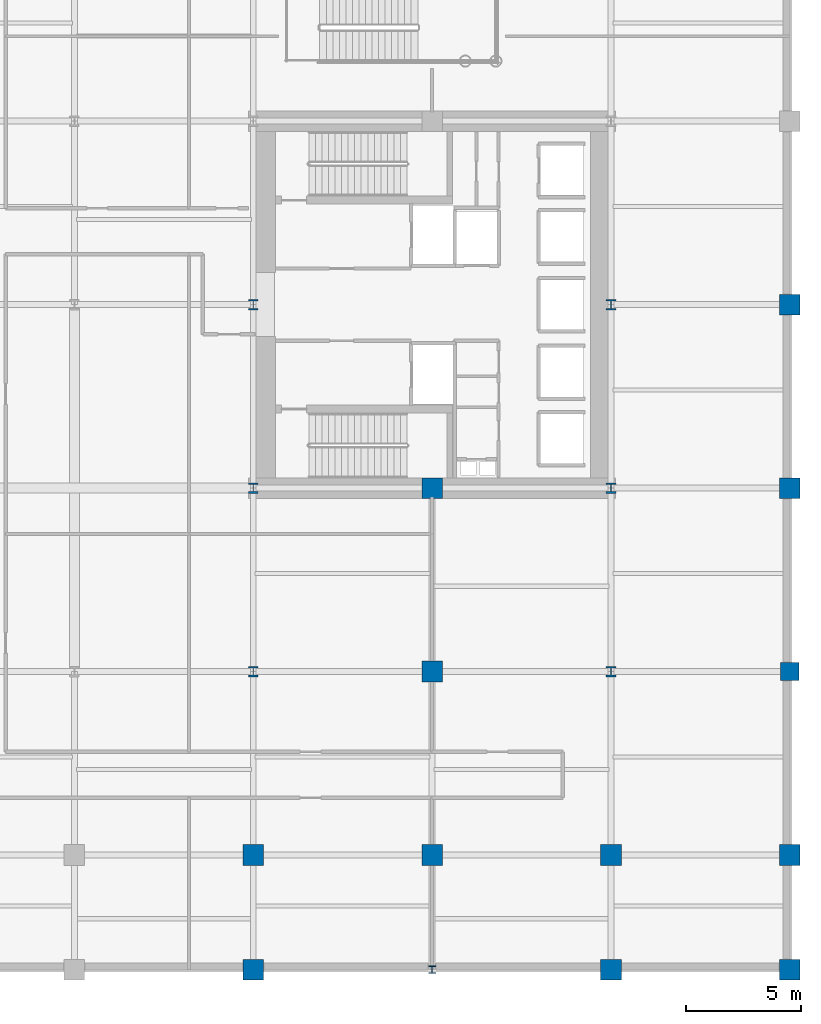
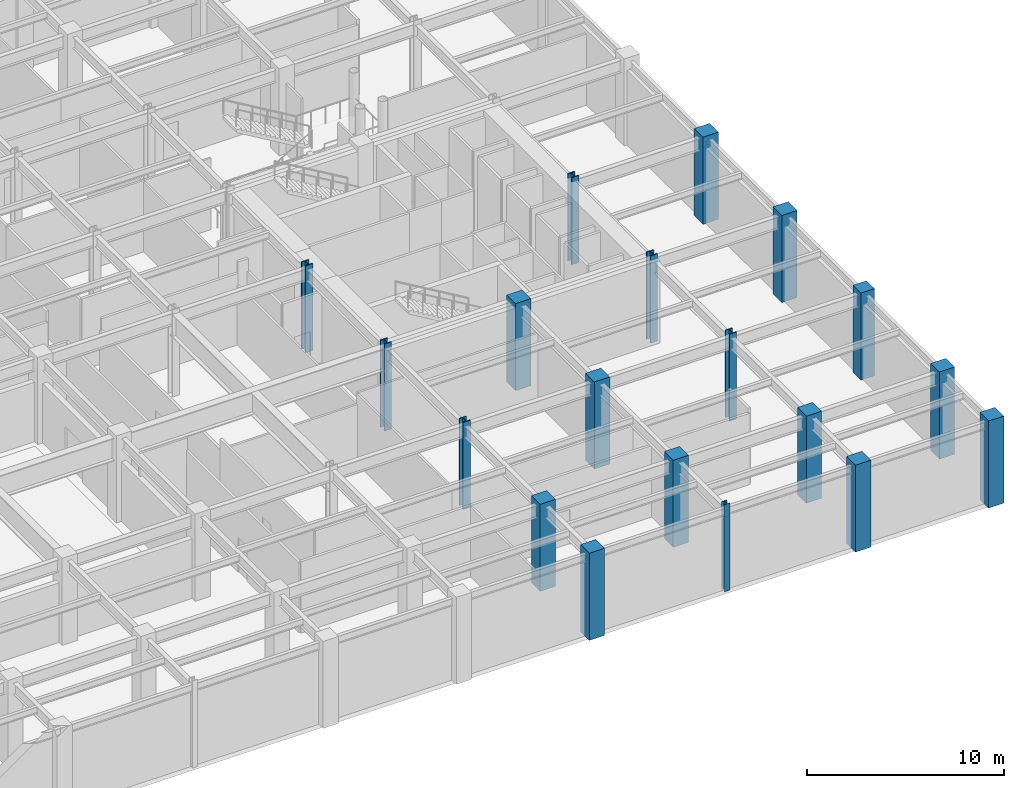
# One storey, part 2 of 11: 19 columns.
"""IFC4 building model written with IfcOpenShell, lengths in metres."""

import ifcopenshell
import ifcopenshell.guid

model = None  # the IFC model being written
_history = None  # IfcOwnerHistory: only IFC2X3 demands one
_inside = {}  # id of a spatial element -> (the spatial element, [elements in it])
_under = {}  # id of a project, library or spatial element -> (it, [spatial elements below it])
_declared = {}  # id of a project -> (the project, [libraries it declares])
_typed = {}  # id of a type object -> (the type object, [elements of that type])
_made_of = {}  # id of a material, layer set ... -> (it, [elements and type objects made of it])


def new_model(schema):
    """Start an empty IFC model of exactly this schema.

    Asked for "IFC4X3", IfcOpenShell would pick the latest addendum, in which some entities
    have other attributes; the version numbers below select the first issue.
    IFC2X3 requires an IfcOwnerHistory on every rooted entity: one is made here for all.
    """
    global model, _history
    if schema == "IFC4X3":
        model = ifcopenshell.file(schema_version=(4, 3, 0, 0))
    else:
        model = ifcopenshell.file(schema=schema)
    _inside.clear()
    _under.clear()
    _declared.clear()
    _typed.clear()
    _made_of.clear()
    _history = None
    if model.schema == "IFC2X3":
        org = make("IfcOrganization", Name="unknown")
        user = make(
            "IfcPersonAndOrganization",
            ThePerson=make("IfcPerson", FamilyName="unknown"),
            TheOrganization=org,
        )
        app = make(
            "IfcApplication",
            ApplicationDeveloper=org,
            Version="unknown",
            ApplicationFullName="unknown",
            ApplicationIdentifier="unknown",
        )
        _history = make(
            "IfcOwnerHistory",
            OwningUser=user,
            OwningApplication=app,
            ChangeAction="ADDED",
            CreationDate=0,
        )
    return model


def make(cls, **values):
    """One entity of the class cls with the attributes given. An attribute that is None is left unset."""
    return model.create_entity(
        cls, **{name: value for name, value in values.items() if value is not None}
    )


def rooted(cls, **values):
    """An entity with a GlobalId (a new one), such as an element, a storey or a relation."""
    return make(cls, GlobalId=ifcopenshell.guid.new(), OwnerHistory=_history, **values)


def si_unit(unit_type, name, prefix=None):
    """IfcSIUnit, for example si_unit("LENGTHUNIT", "METRE", prefix="MILLI")."""
    return make("IfcSIUnit", UnitType=unit_type, Prefix=prefix, Name=name)


def assignment(units):
    """IfcUnitAssignment: the units of a project."""
    return None if units is None else make("IfcUnitAssignment", Units=units)


def point(xyz):
    """IfcCartesianPoint."""
    return None if xyz is None else make("IfcCartesianPoint", Coordinates=xyz)


def direction(xyz):
    """IfcDirection."""
    return None if xyz is None else make("IfcDirection", DirectionRatios=xyz)


def frame(location, z_axis=None, x_axis=None):
    """IfcAxis2Placement3D, a coordinate frame: its origin and axes. An axis left out is left unset."""
    return make(
        "IfcAxis2Placement3D",
        Location=point(location),
        Axis=direction(z_axis),
        RefDirection=direction(x_axis),
    )


def frame_2d(location, x_axis=None):
    """IfcAxis2Placement2D, a coordinate frame in the plane: its origin and x axis."""
    return make(
        "IfcAxis2Placement2D", Location=point(location), RefDirection=direction(x_axis)
    )


def origin():
    """The frame at (0, 0, 0) with its axes left unset."""
    return frame((0.0, 0.0, 0.0))


def origin_2d():
    """The frame at (0, 0) in the plane with its x axis left unset."""
    return frame_2d((0.0, 0.0))


def place(relative_to, where):
    """IfcLocalPlacement: puts the frame where relative to a parent placement (None: the world)."""
    return make(
        "IfcLocalPlacement", PlacementRelTo=relative_to, RelativePlacement=where
    )


def context(
    kind, dimensions, precision=None, world=None, true_north=None, identifier=None
):
    """IfcGeometricRepresentationContext, for example the 3D "Model" context."""
    return make(
        "IfcGeometricRepresentationContext",
        ContextIdentifier=identifier,
        ContextType=kind,
        CoordinateSpaceDimension=dimensions,
        Precision=precision,
        WorldCoordinateSystem=world,
        TrueNorth=true_north,
    )


def subcontext(parent, identifier, kind, view, scale=None):
    """IfcGeometricRepresentationSubContext, for example "Body" below "Model"."""
    return make(
        "IfcGeometricRepresentationSubContext",
        ContextIdentifier=identifier,
        ContextType=kind,
        ParentContext=parent,
        TargetScale=scale,
        TargetView=view,
    )


def project(units=None, contexts=None):
    """IfcProject with its units and contexts."""
    return rooted(
        "IfcProject",
        Name="project",
        RepresentationContexts=contexts,
        UnitsInContext=assignment(units),
    )


def spatial(cls, under=None, at=None, **own):
    """A site, building, storey or space (cls), placed at a placement, below another one or the project."""
    s = rooted(cls, ObjectPlacement=at, **own)
    if under is not None:
        _under.setdefault(under.id(), (under, []))[1].append(s)
    return s


def profile(cls, at=None, kind="AREA", **sizes):
    """A parametric profile (cls). Its sizes go by their IFC names, for example OverallWidth=200.0."""
    return make(cls, ProfileType=kind, Position=at, **sizes)


def rectangle(**sizes):
    """IfcRectangleProfileDef."""
    return profile("IfcRectangleProfileDef", **sizes)


def i_section(**sizes):
    """IfcIShapeProfileDef."""
    return profile("IfcIShapeProfileDef", **sizes)


def extrude(swept, where, along, depth):
    """IfcExtrudedAreaSolid: the profile swept, set in the frame where, extruded along a direction by depth."""
    return make(
        "IfcExtrudedAreaSolid",
        SweptArea=swept,
        Position=where,
        ExtrudedDirection=direction(along),
        Depth=depth,
    )


def shape(context_of_items, identifier, shape_type, items):
    """IfcShapeRepresentation: the items that make up one representation, for example the "Body"."""
    return make(
        "IfcShapeRepresentation",
        ContextOfItems=context_of_items,
        RepresentationIdentifier=identifier,
        RepresentationType=shape_type,
        Items=items,
    )


def material(Name=None, Category=None):
    """IfcMaterial."""
    return make("IfcMaterial", Name=Name, Category=Category)


def material_profile(
    of_material, cross_section, Name=None, Category=None, Priority=None
):
    """IfcMaterialProfile: a cross section and its material."""
    return make(
        "IfcMaterialProfile",
        Name=Name,
        Material=of_material,
        Profile=cross_section,
        Priority=Priority,
        Category=Category,
    )


def profile_set(profiles, Name=None, composite=None):
    """IfcMaterialProfileSet."""
    return make(
        "IfcMaterialProfileSet",
        Name=Name,
        MaterialProfiles=profiles,
        CompositeProfile=composite,
    )


def made_of(thing, what):
    """Note that an element or type object is made of a material, layer set ...; save() writes the relation."""
    if what is not None:
        _made_of.setdefault(what.id(), (what, []))[1].append(thing)
    return thing


def type_object(cls, material=None, **own):
    """A type object (cls), such as IfcWallType, which elements share."""
    return made_of(rooted(cls, **own), material)


def element(
    cls,
    number,
    at=None,
    inside=None,
    cuts=None,
    type_object=None,
    material=None,
    context=None,
    identifier="Body",
    shape_type=None,
    held_by="IfcProductDefinitionShape",
    body=None,
    shapes=None,
    **own,
):
    """One element of the class cls, such as IfcWall. Its Tag is "e" and its number.

    at: its placement. inside: the storey or other place that contains it. cuts: it is an
    opening in that element (IfcRelVoidsElement). A single representation is given by context,
    identifier, shape_type and body (its items); several are given by shapes. held_by: the class
    of the entity that holds the representations. save() writes the other relations.
    """
    e = rooted(cls, Tag="e%d" % number, ObjectPlacement=at, **own)
    if body is not None:
        shapes = [shape(context, identifier, shape_type, body)]
    if shapes is not None:
        e.Representation = make(held_by, Representations=shapes)
    if inside is not None:
        _inside.setdefault(inside.id(), (inside, []))[1].append(e)
    if cuts is not None:
        rooted(
            "IfcRelVoidsElement", RelatingBuildingElement=cuts, RelatedOpeningElement=e
        )
    if type_object is not None:
        _typed.setdefault(type_object.id(), (type_object, []))[1].append(e)
    return made_of(e, material)


def aggregate(whole, parts):
    """IfcRelAggregates: a whole, such as a stair, and the parts it consists of."""
    return rooted("IfcRelAggregates", RelatingObject=whole, RelatedObjects=parts)


def save(model, path):
    """Write the relations noted so far, then the file.

    IfcRelAggregates (storeys below a building ...), IfcRelContainedInSpatialStructure (elements
    in a storey), IfcRelDefinesByType, IfcRelAssociatesMaterial and IfcRelDeclares: one each for
    every whole, place, type object, material and project.
    """
    for whole, parts in _under.values():
        aggregate(whole, parts)
    for where, things in _inside.values():
        rooted(
            "IfcRelContainedInSpatialStructure",
            RelatedElements=things,
            RelatingStructure=where,
        )
    for kind, things in _typed.values():
        rooted("IfcRelDefinesByType", RelatedObjects=things, RelatingType=kind)
    for what, things in _made_of.values():
        rooted("IfcRelAssociatesMaterial", RelatedObjects=things, RelatingMaterial=what)
    for by, libraries in _declared.values():
        rooted("IfcRelDeclares", RelatingContext=by, RelatedDefinitions=libraries)
    model.write(path)


model = new_model("IFC4")

# Units and contexts
model_context = context("Model", 3, precision=1e-05, world=origin(), true_north=direction((0.0, 1.0)))
body_context = subcontext(model_context, "Body", "Model", "MODEL_VIEW")
ifc_project = project(units=[si_unit("LENGTHUNIT", "METRE"), si_unit("AREAUNIT", "SQUARE_METRE"), si_unit("VOLUMEUNIT", "CUBIC_METRE"), si_unit("PLANEANGLEUNIT", "RADIAN"), si_unit("MASSUNIT", "GRAM", prefix="KILO")], contexts=[model_context])

# Site, building, storey
site_placement = place(None, origin())
site = spatial("IfcSite", under=ifc_project, at=site_placement, CompositionType="ELEMENT")
building_placement = place(site_placement, origin())
building = spatial("IfcBuilding", under=site, at=building_placement, Name="Veymaron Broadcast Tower", CompositionType="ELEMENT")
storey_placement = place(building_placement, frame((0.0, 0.0, 16.199951171875)))
storey = spatial("IfcBuildingStorey", under=building, at=storey_placement, Name="L03", CompositionType="ELEMENT", Elevation=16.199951171875)

# Columns
ifc_material_1 = material(Name="Structural steel ASTM A913 Gr 65", Category="steel")
ifc_material_profile_1 = material_profile(ifc_material_1, i_section(OverallWidth=0.41796875, OverallDepth=0.455078125, WebThickness=0.0419921875, FlangeThickness=0.067626953125, at=origin_2d()), Name="W360X551")
ifc_profile_set_1 = profile_set([ifc_material_profile_1], Name="Structural steel ASTM A913 Gr 65")
column_type_1 = type_object("IfcColumnType", Name="COL-MC2", PredefinedType="COLUMN", material=ifc_profile_set_1)
for number, where, z_axis, x_axis, name in (
    (1, (39.0, 8.0, 0.0), (0.0, 0.0, 1.0), (1.0, 0.0, 0.0), "L03 column (39.0, 8.0)"),
    (2, (39.0, 16.0, 0.0), (0.0, 0.0, 1.0), (1.0, 0.0, 0.0), "L03 column (39.0, 16.0)"),
    (3, (39.0, 24.0, 0.0), (0.0, 0.0, 1.0), (1.0, 0.0, 0.0), "L03 column (39.0, 24.0)"),
    (4, (54.60009765625, 8.0, 0.0), (0.0, 0.0, 1.0), (1.0, 0.0, 0.0), "L03 column (54.6, 8.0)"),
    (5, (54.60009765625, 16.0, 0.0), (0.0, 0.0, 1.0), (1.0, 0.0, 0.0), "L03 column (54.6, 16.0)"),
    (6, (54.60009765625, 24.0, 0.0), (0.0, 0.0, 1.0), (1.0, 0.0, 0.0), "L03 column (54.6, 24.0)"),
):
    element("IfcColumn", number, at=place(storey_placement, frame(where, z_axis=z_axis, x_axis=x_axis)), inside=storey, type_object=column_type_1, Name=name, PredefinedType="COLUMN", context=body_context, shape_type="SweptSolid", body=[
        extrude(i_section(OverallWidth=0.41796875, OverallDepth=0.455078125, WebThickness=0.0419921875, FlangeThickness=0.067626953125, at=origin_2d()), origin(), (0.0, 0.0, 1.0), 5.39501953125),
    ])
ifc_material_2 = material(Name="Concrete C50/60", Category="concrete")
ifc_material_profile_2 = material_profile(ifc_material_2, rectangle(XDim=0.89990234375, YDim=0.89990234375, at=origin_2d()), Name="RC900X900")
ifc_profile_set_2 = profile_set([ifc_material_profile_2], Name="Concrete C50/60")
column_type_2 = type_object("IfcColumnType", Name="COL-RC4", PredefinedType="COLUMN", material=ifc_profile_set_2)
for number, where, z_axis, x_axis, name in (
    (7, (39.0, -5.0, 0.0), (0.0, 0.0, 1.0), (1.0, 0.0, 0.0), "L03 column (39.0, -5.0)"),
    (8, (39.0, 0.0, 0.0), (0.0, 0.0, 1.0), (1.0, 0.0, 0.0), "L03 column (39.0, 0.0)"),
    (9, (46.800048828125, 0.0, 0.0), (0.0, 0.0, 1.0), (1.0, 0.0, 0.0), "L03 column (46.8, 0.0)"),
    (10, (46.800048828125, 8.0, 0.0), (0.0, 0.0, 1.0), (1.0, 0.0, 0.0), "L03 column (46.8, 8.0)"),
    (11, (46.800048828125, 16.0, 0.0), (0.0, 0.0, 1.0), (1.0, 0.0, 0.0), "L03 column (46.8, 16.0)"),
    (12, (54.60009765625, -5.0, 0.0), (0.0, 0.0, 1.0), (1.0, 0.0, 0.0), "L03 column (54.6, -5.0)"),
    (13, (54.60009765625, 0.0, 0.0), (0.0, 0.0, 1.0), (1.0, 0.0, 0.0), "L03 column (54.6, 0.0)"),
    (14, (62.39990234375, -5.0, 0.0), (0.0, 0.0, 1.0), (1.0, 0.0, 0.0), "L03 column (62.4, -5.0)"),
    (15, (62.39990234375, 0.0, 0.0), (0.0, 0.0, 1.0), (1.0, 0.0, 0.0), "L03 column (62.4, 0.0)"),
    (16, (62.39990234375, 16.0, 0.0), (0.0, 0.0, 1.0), (1.0, 0.0, 0.0), "L03 column (62.4, 16.0)"),
    (17, (62.39990234375, 24.0, 0.0), (0.0, 0.0, 1.0), (1.0, 0.0, 0.0), "L03 column (62.4, 24.0)"),
):
    element("IfcColumn", number, at=place(storey_placement, frame(where, z_axis=z_axis, x_axis=x_axis)), inside=storey, type_object=column_type_2, Name=name, PredefinedType="COLUMN", context=body_context, shape_type="SweptSolid", body=[
        extrude(rectangle(XDim=0.89990234375, YDim=0.89990234375, at=origin_2d()), origin(), (0.0, 0.0, 1.0), 5.39501953125),
    ])
ifc_material_profile_3 = material_profile(ifc_material_2, rectangle(XDim=0.800048828125, YDim=0.800048828125, at=origin_2d()), Name="RC800X800")
ifc_profile_set_3 = profile_set([ifc_material_profile_3], Name="Concrete C50/60")
column_type_3 = type_object("IfcColumnType", Name="COL-RC5", PredefinedType="COLUMN", material=ifc_profile_set_3)
column_1_placement = place(storey_placement, frame((62.39990234375, 8.0, 0.0), z_axis=(0.0, 0.0, 1.0), x_axis=(1.0, 0.0, 0.0)))
element("IfcColumn", 18, at=column_1_placement, inside=storey, type_object=column_type_3, Name="L03 column (62.4, 8.0)", PredefinedType="COLUMN", context=body_context, shape_type="SweptSolid", body=[
    extrude(rectangle(XDim=0.800048828125, YDim=0.800048828125, at=origin_2d()), origin(), (0.0, 0.0, 1.0), 5.39501953125),
])
ifc_material_3 = material(Name="Structural steel ASTM A992 Gr 50", Category="steel")
ifc_material_profile_4 = material_profile(ifc_material_3, i_section(OverallWidth=0.30908203125, OverallDepth=0.322998046875, WebThickness=0.01318359375, FlangeThickness=0.02294921875, at=origin_2d()), Name="W310X143")
ifc_profile_set_4 = profile_set([ifc_material_profile_4], Name="Structural steel ASTM A992 Gr 50")
column_type_4 = type_object("IfcColumnType", Name="COL-SC2", PredefinedType="COLUMN", material=ifc_profile_set_4)
column_2_placement = place(storey_placement, frame((46.800048828125, -5.0, 0.0), z_axis=(0.0, 0.0, 1.0), x_axis=(1.0, 0.0, 0.0)))
element("IfcColumn", 19, at=column_2_placement, inside=storey, type_object=column_type_4, Name="L03 column (46.8, -5.0)", PredefinedType="COLUMN", context=body_context, shape_type="SweptSolid", body=[
    extrude(i_section(OverallWidth=0.30908203125, OverallDepth=0.322998046875, WebThickness=0.01318359375, FlangeThickness=0.02294921875, at=origin_2d()), origin(), (0.0, 0.0, 1.0), 5.39501953125),
])

save(model, "model.ifc")
